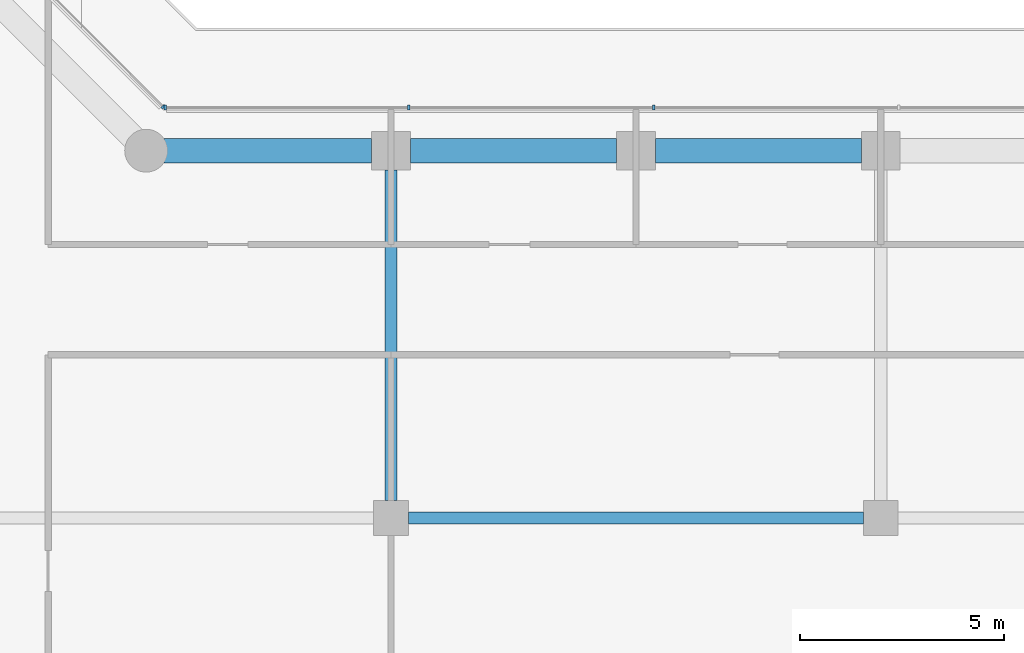
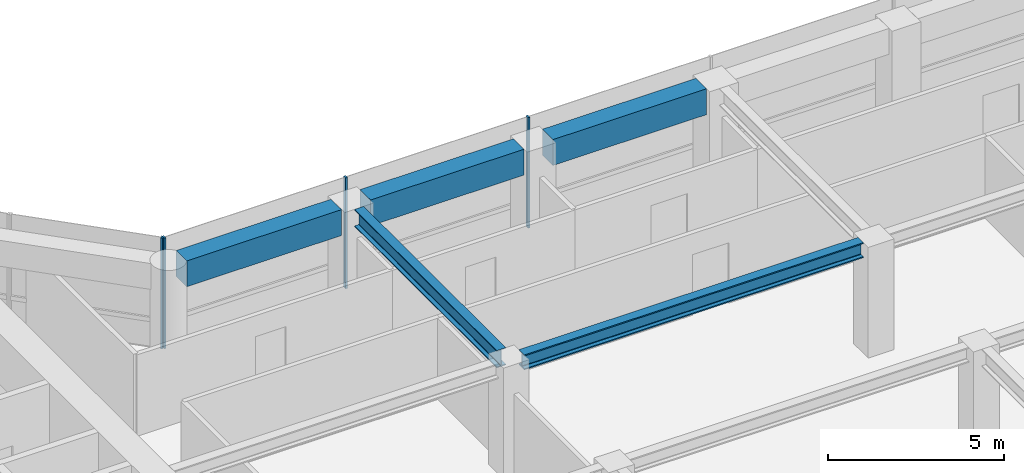
# One storey, part 10 of 28: 5 beams, 4 members, 2 elements without a shape of their own.
"""IFC4 building model written with IfcOpenShell, lengths in metres."""

from ifc_helpers import new_model, si_unit, direction, frame, origin, origin_2d, place, context, subcontext, project, spatial, rectangle, i_section, extrude, material, layer, layer_set, material_profile, profile_set, type_object, element, aggregate, save


model = new_model("IFC4")

# Units and contexts
model_context = context("Model", 3, precision=1e-05, world=origin(), true_north=direction((0.0, 1.0)))
body_context = subcontext(model_context, "Body", "Model", "MODEL_VIEW")
ifc_project = project(units=[si_unit("LENGTHUNIT", "METRE"), si_unit("AREAUNIT", "SQUARE_METRE"), si_unit("VOLUMEUNIT", "CUBIC_METRE"), si_unit("PLANEANGLEUNIT", "RADIAN"), si_unit("MASSUNIT", "GRAM", prefix="KILO")], contexts=[model_context])

# Site, building, storey
site_placement = place(None, origin())
site = spatial("IfcSite", under=ifc_project, at=site_placement, CompositionType="ELEMENT")
building_placement = place(site_placement, origin())
building = spatial("IfcBuilding", under=site, at=building_placement, Name="Welwitschia Terrace Campus", CompositionType="ELEMENT")
storey_placement = place(building_placement, frame((0.0, 0.0, 45.800048828125)))
storey = spatial("IfcBuildingStorey", under=building, at=storey_placement, Name="L10", CompositionType="ELEMENT", Elevation=45.800048828125)

# Beam
ifc_material_1 = material(Name="Steel S355", Category="steel")
ifc_material_profile_1 = material_profile(ifc_material_1, i_section(OverallWidth=0.305908203125, OverallDepth=0.52392578125, WebThickness=0.02099609375, FlangeThickness=0.0400390625, FilletRadius=0.027099609375, at=origin_2d()))
ifc_profile_set_1 = profile_set([ifc_material_profile_1], Name="Steel S355")
beam_type_1 = type_object("IfcBeamType", Name="Interior girder HE 500 M", PredefinedType="BEAM", material=ifc_profile_set_1)
beam_1_placement = place(storey_placement, frame((36.425537109375, 11.0, 3.587890625), z_axis=(1.0, 0.0, 0.0), x_axis=(0.0, 1.0, 0.0)))
element("IfcBeam", 1, at=beam_1_placement, inside=storey, type_object=beam_type_1, Name="Girder GB2", PredefinedType="BEAM", context=body_context, shape_type="SweptSolid", body=[
    extrude(i_section(OverallWidth=0.305908203125, OverallDepth=0.52392578125, WebThickness=0.02099609375, FlangeThickness=0.0400390625, FilletRadius=0.027099609375, at=origin_2d()), origin(), (0.0, 0.0, 1.0), 11.14892578125),
])

# Curtain wall, members
ifc_material_2 = material(Name="Bronze anodised aluminium", Category="aluminium")
ifc_layer = layer(ifc_material_2, 0.1201171875)
ifc_layer_set = layer_set([ifc_layer], Name="Bronze anodised aluminium")
curtain_wall_type = type_object("IfcCurtainWallType", Name="Curtain wall CW2 tower 6000", PredefinedType="NOTDEFINED", material=ifc_layer_set)
curtain_wall_1_placement = place(storey_placement, origin())
curtain_wall_1 = element("IfcCurtainWall", 2, at=curtain_wall_1_placement, inside=storey, type_object=curtain_wall_type, Name="CW L10.6.0", PredefinedType="NOTDEFINED")
ifc_material_3 = material(Name="Bronze anodised aluminium", Category="aluminium")
ifc_material_profile_2 = material_profile(ifc_material_3, rectangle(XDim=0.1201171875, YDim=0.06005859375, at=origin_2d()))
ifc_profile_set_2 = profile_set([ifc_material_profile_2], Name="Bronze anodised aluminium")
member_type = type_object("IfcMemberType", Name="Mullion 60x120", PredefinedType="MULLION", material=ifc_profile_set_2)
member_1_placement = place(storey_placement, frame((42.438232421875, 21.05810546875, 0.0), z_axis=(0.0, 0.0, 1.0), x_axis=(0.0, -1.0, 0.0)))
member_1 = element("IfcMember", 3, at=member_1_placement, type_object=member_type, Name="Mullion L10.6.0.3", PredefinedType="MULLION", context=body_context, shape_type="SweptSolid", body=[
    extrude(rectangle(XDim=0.1201171875, YDim=0.06005859375, at=origin_2d()), origin(), (0.0, 0.0, 1.0), 3.849853515625),
])
member_2_placement = place(storey_placement, frame((36.438232421875, 21.05810546875, 0.0), z_axis=(0.0, 0.0, 1.0), x_axis=(0.0, -1.0, 0.0)))
member_2 = element("IfcMember", 4, at=member_2_placement, type_object=member_type, Name="Mullion L10.6.0.4", PredefinedType="MULLION", context=body_context, shape_type="SweptSolid", body=[
    extrude(rectangle(XDim=0.1201171875, YDim=0.06005859375, at=origin_2d()), origin(), (0.0, 0.0, 1.0), 3.849853515625),
])
member_3_placement = place(storey_placement, frame((30.46826171875, 21.05810546875, 0.0), z_axis=(0.0, 0.0, 1.0), x_axis=(0.0, -1.0, 0.0)))
member_3 = element("IfcMember", 5, at=member_3_placement, type_object=member_type, Name="Mullion L10.6.0.5", PredefinedType="MULLION", context=body_context, shape_type="SweptSolid", body=[
    extrude(rectangle(XDim=0.1201171875, YDim=0.06005859375, at=origin_2d()), origin(), (0.0, 0.0, 1.0), 3.849853515625),
])
aggregate(curtain_wall_1, [member_1, member_2, member_3])

# Curtain wall, member
curtain_wall_2_placement = place(storey_placement, origin())
curtain_wall_2 = element("IfcCurtainWall", 6, at=curtain_wall_2_placement, inside=storey, type_object=curtain_wall_type, Name="CW L10.7.0", PredefinedType="NOTDEFINED")
member_4_placement = place(storey_placement, frame((30.4169921875, 21.0791015625, 0.0), z_axis=(0.0, 0.0, 1.0), x_axis=(-0.707106781187, -0.707106781187, 0.0)))
member_4 = element("IfcMember", 7, at=member_4_placement, type_object=member_type, Name="Mullion L10.7.0.0", PredefinedType="MULLION", context=body_context, shape_type="SweptSolid", body=[
    extrude(rectangle(XDim=0.1201171875, YDim=0.06005859375, at=origin_2d()), origin(), (0.0, 0.0, 1.0), 3.849853515625),
])
aggregate(curtain_wall_2, [member_4])

# Beams
ifc_material_4 = material(Name="Steel S355", Category="steel")
ifc_material_profile_3 = material_profile(ifc_material_4, i_section(OverallWidth=0.300048828125, OverallDepth=0.60009765625, WebThickness=0.015380859375, FlangeThickness=0.030029296875, FilletRadius=0.027099609375, at=origin_2d()))
ifc_profile_set_3 = profile_set([ifc_material_profile_3], Name="Steel S355")
beam_type_2 = type_object("IfcBeamType", Name="Primary beam HE 600 B", PredefinedType="BEAM", material=ifc_profile_set_3)
beam_2_placement = place(storey_placement, frame((36.0, 19.5244140625, 3.550048828125), z_axis=(0.0, -1.0, 0.0), x_axis=(1.0, 0.0, 0.0)))
element("IfcBeam", 8, at=beam_2_placement, inside=storey, type_object=beam_type_2, Name="Primary beam PB2", PredefinedType="BEAM", context=body_context, shape_type="SweptSolid", body=[
    extrude(i_section(OverallWidth=0.300048828125, OverallDepth=0.60009765625, WebThickness=0.015380859375, FlangeThickness=0.030029296875, FilletRadius=0.027099609375, at=origin_2d()), origin(), (0.0, 0.0, 1.0), 8.098876953125),
])
ifc_material_5 = material(Name="Concrete C60/75", Category="concrete")
ifc_material_profile_4 = material_profile(ifc_material_5, rectangle(XDim=0.60009765625, YDim=0.89990234375, at=origin_2d()))
ifc_profile_set_4 = profile_set([ifc_material_profile_4], Name="Concrete C60/75")
beam_type_3 = type_object("IfcBeamType", Name="Ring spandrel 600x900", PredefinedType="SPANDREL", material=ifc_profile_set_4)
for number, where, z_axis, x_axis, name in (
    (9, (47.5244140625, 20.0, 3.39990234375), (-1.0, 0.0, 0.0), (0.0, -1.0, 0.0), "Spandrel SP2"),
    (10, (41.5244140625, 20.0, 3.39990234375), (-1.0, 0.0, 0.0), (0.0, -1.0, 0.0), "Spandrel SP2"),
):
    element("IfcBeam", number, at=place(storey_placement, frame(where, z_axis=z_axis, x_axis=x_axis)), inside=storey, type_object=beam_type_3, Name=name, PredefinedType="SPANDREL", context=body_context, shape_type="SweptSolid", body=[
        extrude(rectangle(XDim=0.60009765625, YDim=0.89990234375, at=origin_2d()), origin(), (0.0, 0.0, 1.0), 5.048828125),
    ])
beam_3_placement = place(storey_placement, frame((35.5244140625, 20.0, 3.39990234375), z_axis=(-1.0, 0.0, 0.0), x_axis=(0.0, -1.0, 0.0)))
element("IfcBeam", 11, at=beam_3_placement, inside=storey, type_object=beam_type_3, Name="Spandrel SP2", PredefinedType="SPANDREL", context=body_context, shape_type="SweptSolid", body=[
    extrude(rectangle(XDim=0.60009765625, YDim=0.89990234375, at=origin_2d()), origin(), (0.0, 0.0, 1.0), 5.093017578125),
])

save(model, "model.ifc")
